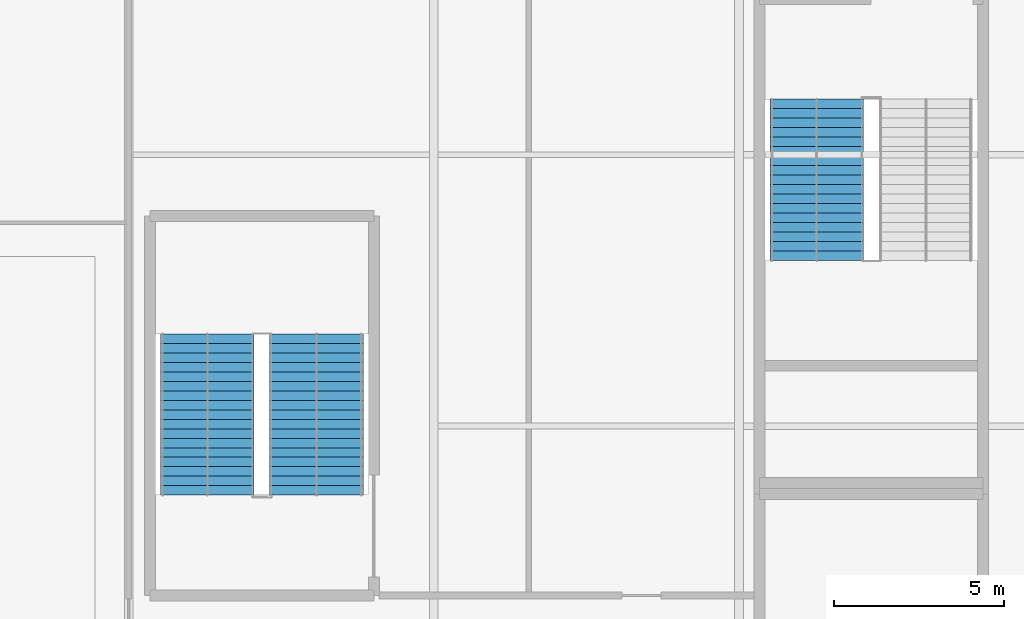
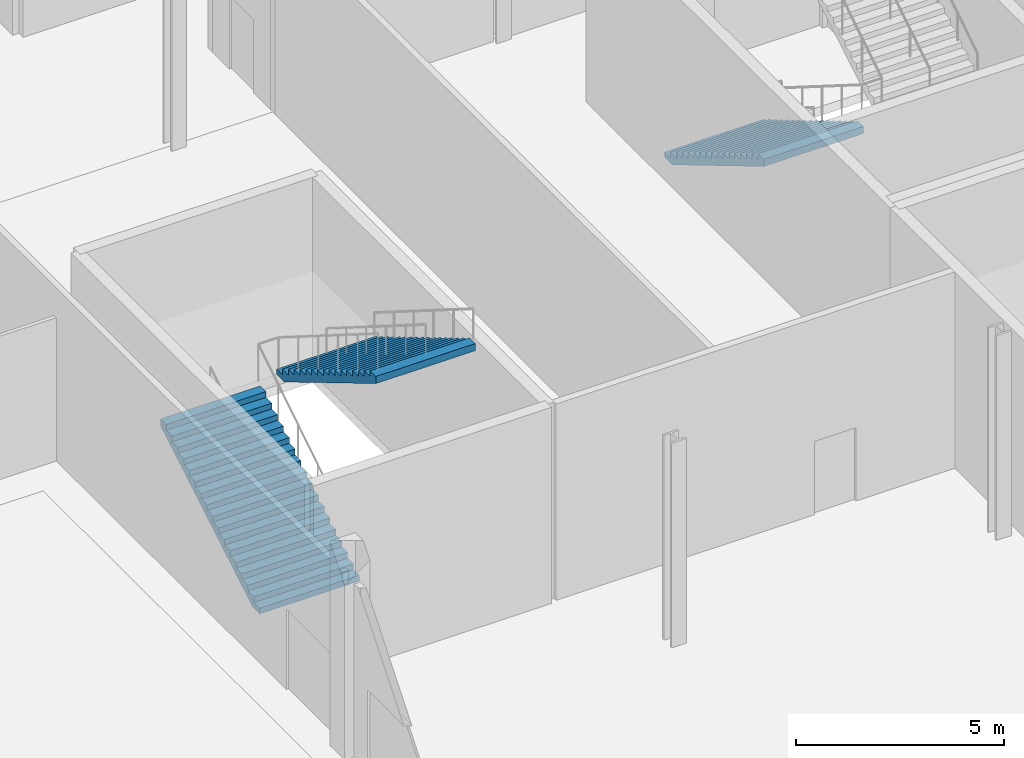
# One storey, part 65 of 84: 3 stair flights, 2 elements without a shape of their own.
"""IFC4 building model written with IfcOpenShell, lengths in metres."""

from ifc_helpers import new_model, si_unit, direction, frame, origin, place, context, subcontext, project, spatial, polygons, material, type_object, element, aggregate, save


model = new_model("IFC4")

# Units and contexts
model_context = context("Model", 3, precision=1e-05, world=origin(), true_north=direction((0.0, 1.0)))
body_context = subcontext(model_context, "Body", "Model", "MODEL_VIEW")
ifc_project = project(units=[si_unit("LENGTHUNIT", "METRE"), si_unit("AREAUNIT", "SQUARE_METRE"), si_unit("VOLUMEUNIT", "CUBIC_METRE"), si_unit("PLANEANGLEUNIT", "RADIAN"), si_unit("MASSUNIT", "GRAM", prefix="KILO")], contexts=[model_context])

# Site, building, storey
site_placement = place(None, origin())
site = spatial("IfcSite", under=ifc_project, at=site_placement, CompositionType="ELEMENT")
building_placement = place(site_placement, origin())
building = spatial("IfcBuilding", under=site, at=building_placement, Name="Kisiwana Market Hall", CompositionType="ELEMENT")
storey_placement = place(building_placement, origin())
storey = spatial("IfcBuildingStorey", under=building, at=storey_placement, Name="L00", CompositionType="ELEMENT", Elevation=0.0)

# Stair, stair flight
ifc_material_1 = material(Name="Concrete C32/40", Category="concrete")
stair_type = type_object("IfcStairType", Name="ST-ESC-6000", PredefinedType="TWO_STRAIGHT_RUN_STAIR", material=ifc_material_1)
stair_1_placement = place(storey_placement, origin())
stair_1 = element("IfcStair", 1, at=stair_1_placement, inside=storey, type_object=stair_type, Name="Escape stair ST-E8-L00", PredefinedType="TWO_STRAIGHT_RUN_STAIR")
ifc_material_2 = material(Name="Concrete C32/40", Category="concrete")
stair_flight_type = type_object("IfcStairFlightType", Name="SF-ESC-6000", PredefinedType="STRAIGHT", material=ifc_material_2)
stair_flight_1_placement = place(storey_placement, frame((173.2900390625, 77.639892578125, 0.0), z_axis=(0.0, 0.0, 1.0), x_axis=(0.0, -1.0, 0.0)))
stair_flight_1 = element("IfcStairFlight", 2, at=stair_flight_1_placement, type_object=stair_flight_type, Name="ST-E8-L00 flight 1", NumberOfRisers=18, NumberOfTreads=17, PredefinedType="STRAIGHT", RiserHeight=0.166667, TreadLength=0.28, context=body_context, shape_type="Tessellation", body=[
    polygons([(0.0, -1.380127, 0.0), (0.0, -0.690125, 0.0), (0.0, -0.000122, 0.0), (0.0, 0.68988, 0.0), (0.0, 1.379883, 0.0), (0.0, -1.380127, 0.166748), (0.0, -0.690125, 0.166748), (0.0, -0.000122, 0.166748), (0.0, 0.68988, 0.166748), (0.0, 1.379883, 0.166748), (0.280029, -1.380127, 0.166748), (0.280029, -0.690125, 0.166748), (0.280029, -0.000122, 0.166748), (0.280029, 0.68988, 0.166748), (0.280029, 1.379883, 0.166748), (0.280029, -1.380127, 0.333252), (0.280029, -0.690125, 0.333252), (0.280029, -0.000122, 0.333252), (0.280029, 0.68988, 0.333252), (0.280029, 1.379883, 0.333252), (0.560059, -1.380127, 0.333252), (0.560059, -0.690125, 0.333252), (0.560059, -0.000122, 0.333252), (0.560059, 0.68988, 0.333252), (0.560059, 1.379883, 0.333252), (0.560059, -1.380127, 0.5), (0.560059, -0.690125, 0.5), (0.560059, -0.000122, 0.5), (0.560059, 0.68988, 0.5), (0.560059, 1.379883, 0.5), (0.840088, -1.380127, 0.5), (0.840088, -0.690125, 0.5), (0.840088, -0.000122, 0.5), (0.840088, 0.68988, 0.5), (0.840088, 1.379883, 0.5), (0.840088, -1.380127, 0.666748), (0.840088, -0.690125, 0.666748), (0.840088, -0.000122, 0.666748), (0.840088, 0.68988, 0.666748), (0.840088, 1.379883, 0.666748), (1.120117, -1.380127, 0.666748), (1.120117, -0.690125, 0.666748), (1.120117, -0.000122, 0.666748), (1.120117, 0.68988, 0.666748), (1.120117, 1.379883, 0.666748), (1.120117, -1.380127, 0.833252), (1.120117, -0.690125, 0.833252), (1.120117, -0.000122, 0.833252), (1.120117, 0.68988, 0.833252), (1.120117, 1.379883, 0.833252), (1.399902, -1.380127, 0.833252), (1.399902, -0.690125, 0.833252), (1.399902, -0.000122, 0.833252), (1.399902, 0.68988, 0.833252), (1.399902, 1.379883, 0.833252), (1.399902, -1.380127, 1.0), (1.399902, -0.690125, 1.0), (1.399902, -0.000122, 1.0), (1.399902, 0.68988, 1.0), (1.399902, 1.379883, 1.0), (1.679932, -1.380127, 1.0), (1.679932, -0.690125, 1.0), (1.679932, -0.000122, 1.0), (1.679932, 0.68988, 1.0), (1.679932, 1.379883, 1.0), (1.679932, -1.380127, 1.166748), (1.679932, -0.690125, 1.166748), (1.679932, -0.000122, 1.166748), (1.679932, 0.68988, 1.166748), (1.679932, 1.379883, 1.166748), (1.959961, -1.380127, 1.166748), (1.959961, -0.690125, 1.166748), (1.959961, -0.000122, 1.166748), (1.959961, 0.68988, 1.166748), (1.959961, 1.379883, 1.166748), (1.959961, -1.380127, 1.333252), (1.959961, -0.690125, 1.333252), (1.959961, -0.000122, 1.333252), (1.959961, 0.68988, 1.333252), (1.959961, 1.379883, 1.333252), (2.23999, -1.380127, 1.333252), (2.23999, -0.690125, 1.333252), (2.23999, -0.000122, 1.333252), (2.23999, 0.68988, 1.333252), (2.23999, 1.379883, 1.333252), (2.23999, -1.380127, 1.5), (2.23999, -0.690125, 1.5), (2.23999, -0.000122, 1.5), (2.23999, 0.68988, 1.5), (2.23999, 1.379883, 1.5), (2.52002, -1.380127, 1.5), (2.52002, -0.690125, 1.5), (2.52002, -0.000122, 1.5), (2.52002, 0.68988, 1.5), (2.52002, 1.379883, 1.5), (2.52002, -1.380127, 1.666748), (2.52002, -0.690125, 1.666748), (2.52002, -0.000122, 1.666748), (2.52002, 0.68988, 1.666748), (2.52002, 1.379883, 1.666748), (2.800049, -1.380127, 1.666748), (2.800049, -0.690125, 1.666748), (2.800049, -0.000122, 1.666748), (2.800049, 0.68988, 1.666748), (2.800049, 1.379883, 1.666748), (2.800049, -1.380127, 1.833252), (2.800049, -0.690125, 1.833252), (2.800049, -0.000122, 1.833252), (2.800049, 0.68988, 1.833252), (2.800049, 1.379883, 1.833252), (3.080078, -1.380127, 1.833252), (3.080078, -0.690125, 1.833252), (3.080078, -0.000122, 1.833252), (3.080078, 0.68988, 1.833252), (3.080078, 1.379883, 1.833252), (3.080078, -1.380127, 2.0), (3.080078, -0.690125, 2.0), (3.080078, -0.000122, 2.0), (3.080078, 0.68988, 2.0), (3.080078, 1.379883, 2.0), (3.360107, -1.380127, 2.0), (3.360107, -0.690125, 2.0), (3.360107, -0.000122, 2.0), (3.360107, 0.68988, 2.0), (3.360107, 1.379883, 2.0), (3.360107, -1.380127, 2.166748), (3.360107, -0.690125, 2.166748), (3.360107, -0.000122, 2.166748), (3.360107, 0.68988, 2.166748), (3.360107, 1.379883, 2.166748), (3.639893, -1.380127, 2.166748), (3.639893, -0.690125, 2.166748), (3.639893, -0.000122, 2.166748), (3.639893, 0.68988, 2.166748), (3.639893, 1.379883, 2.166748), (3.639893, -1.380127, 2.333252), (3.639893, -0.690125, 2.333252), (3.639893, -0.000122, 2.333252), (3.639893, 0.68988, 2.333252), (3.639893, 1.379883, 2.333252), (3.919922, -1.380127, 2.333252), (3.919922, -0.690125, 2.333252), (3.919922, -0.000122, 2.333252), (3.919922, 0.68988, 2.333252), (3.919922, 1.379883, 2.333252), (3.919922, -1.380127, 2.5), (3.919922, -0.690125, 2.5), (3.919922, -0.000122, 2.5), (3.919922, 0.68988, 2.5), (3.919922, 1.379883, 2.5), (4.199951, -1.380127, 2.5), (4.199951, -0.690125, 2.5), (4.199951, -0.000122, 2.5), (4.199951, 0.68988, 2.5), (4.199951, 1.379883, 2.5), (4.199951, -1.380127, 2.666748), (4.199951, -0.690125, 2.666748), (4.199951, -0.000122, 2.666748), (4.199951, 0.68988, 2.666748), (4.199951, 1.379883, 2.666748), (4.47998, -1.380127, 2.666748), (4.47998, -0.690125, 2.666748), (4.47998, -0.000122, 2.666748), (4.47998, 0.68988, 2.666748), (4.47998, 1.379883, 2.666748), (4.47998, -1.380127, 2.833252), (4.47998, -0.690125, 2.833252), (4.47998, -0.000122, 2.833252), (4.47998, 0.68988, 2.833252), (4.47998, 1.379883, 2.833252), (4.76001, -1.380127, 2.833252), (4.76001, -0.690125, 2.833252), (4.76001, -0.000122, 2.833252), (4.76001, 0.68988, 2.833252), (4.76001, 1.379883, 2.833252), (4.76001, -1.380127, 2.624023), (4.76001, -0.690125, 2.624023), (4.76001, -0.000122, 2.624023), (4.76001, 0.68988, 2.624023), (4.76001, 1.379883, 2.624023), (0.351807, -1.380127, 0.0), (0.351807, -0.690125, 0.0), (0.351807, -0.000122, 0.0), (0.351807, 0.68988, 0.0), (0.351807, 1.379883, 0.0)], [[[1, 6, 7, 2]], [[2, 7, 8, 3]], [[3, 8, 9, 4]], [[4, 9, 10, 5]], [[6, 11, 12, 7]], [[7, 12, 13, 8]], [[8, 13, 14, 9]], [[9, 14, 15, 10]], [[11, 16, 17, 12]], [[12, 17, 18, 13]], [[13, 18, 19, 14]], [[14, 19, 20, 15]], [[16, 21, 22, 17]], [[17, 22, 23, 18]], [[18, 23, 24, 19]], [[19, 24, 25, 20]], [[21, 26, 27, 22]], [[22, 27, 28, 23]], [[23, 28, 29, 24]], [[24, 29, 30, 25]], [[26, 31, 32, 27]], [[27, 32, 33, 28]], [[28, 33, 34, 29]], [[29, 34, 35, 30]], [[31, 36, 37, 32]], [[32, 37, 38, 33]], [[33, 38, 39, 34]], [[34, 39, 40, 35]], [[36, 41, 42, 37]], [[37, 42, 43, 38]], [[38, 43, 44, 39]], [[39, 44, 45, 40]], [[41, 46, 47, 42]], [[42, 47, 48, 43]], [[43, 48, 49, 44]], [[44, 49, 50, 45]], [[46, 51, 52, 47]], [[47, 52, 53, 48]], [[48, 53, 54, 49]], [[49, 54, 55, 50]], [[51, 56, 57, 52]], [[52, 57, 58, 53]], [[53, 58, 59, 54]], [[54, 59, 60, 55]], [[56, 61, 62, 57]], [[57, 62, 63, 58]], [[58, 63, 64, 59]], [[59, 64, 65, 60]], [[61, 66, 67, 62]], [[62, 67, 68, 63]], [[63, 68, 69, 64]], [[64, 69, 70, 65]], [[66, 71, 72, 67]], [[67, 72, 73, 68]], [[68, 73, 74, 69]], [[69, 74, 75, 70]], [[71, 76, 77, 72]], [[72, 77, 78, 73]], [[73, 78, 79, 74]], [[74, 79, 80, 75]], [[76, 81, 82, 77]], [[77, 82, 83, 78]], [[78, 83, 84, 79]], [[79, 84, 85, 80]], [[81, 86, 87, 82]], [[82, 87, 88, 83]], [[83, 88, 89, 84]], [[84, 89, 90, 85]], [[86, 91, 92, 87]], [[87, 92, 93, 88]], [[88, 93, 94, 89]], [[89, 94, 95, 90]], [[91, 96, 97, 92]], [[92, 97, 98, 93]], [[93, 98, 99, 94]], [[94, 99, 100, 95]], [[96, 101, 102, 97]], [[97, 102, 103, 98]], [[98, 103, 104, 99]], [[99, 104, 105, 100]], [[101, 106, 107, 102]], [[102, 107, 108, 103]], [[103, 108, 109, 104]], [[104, 109, 110, 105]], [[106, 111, 112, 107]], [[107, 112, 113, 108]], [[108, 113, 114, 109]], [[109, 114, 115, 110]], [[111, 116, 117, 112]], [[112, 117, 118, 113]], [[113, 118, 119, 114]], [[114, 119, 120, 115]], [[116, 121, 122, 117]], [[117, 122, 123, 118]], [[118, 123, 124, 119]], [[119, 124, 125, 120]], [[121, 126, 127, 122]], [[122, 127, 128, 123]], [[123, 128, 129, 124]], [[124, 129, 130, 125]], [[126, 131, 132, 127]], [[127, 132, 133, 128]], [[128, 133, 134, 129]], [[129, 134, 135, 130]], [[131, 136, 137, 132]], [[132, 137, 138, 133]], [[133, 138, 139, 134]], [[134, 139, 140, 135]], [[136, 141, 142, 137]], [[137, 142, 143, 138]], [[138, 143, 144, 139]], [[139, 144, 145, 140]], [[141, 146, 147, 142]], [[142, 147, 148, 143]], [[143, 148, 149, 144]], [[144, 149, 150, 145]], [[146, 151, 152, 147]], [[147, 152, 153, 148]], [[148, 153, 154, 149]], [[149, 154, 155, 150]], [[151, 156, 157, 152]], [[152, 157, 158, 153]], [[153, 158, 159, 154]], [[154, 159, 160, 155]], [[156, 161, 162, 157]], [[157, 162, 163, 158]], [[158, 163, 164, 159]], [[159, 164, 165, 160]], [[161, 166, 167, 162]], [[162, 167, 168, 163]], [[163, 168, 169, 164]], [[164, 169, 170, 165]], [[166, 171, 172, 167]], [[167, 172, 173, 168]], [[168, 173, 174, 169]], [[169, 174, 175, 170]], [[171, 176, 177, 172]], [[172, 177, 178, 173]], [[173, 178, 179, 174]], [[174, 179, 180, 175]], [[176, 181, 182, 177]], [[177, 182, 183, 178]], [[178, 183, 184, 179]], [[179, 184, 185, 180]], [[181, 1, 2, 182]], [[182, 2, 3, 183]], [[183, 3, 4, 184]], [[184, 4, 5, 185]], [[181, 176, 171, 166, 161, 156, 151, 146, 141, 136, 131, 126, 121, 116, 111, 106, 101, 96, 91, 86, 81, 76, 71, 66, 61, 56, 51, 46, 41, 36, 31, 26, 21, 16, 11, 6, 1]], [[5, 10, 15, 20, 25, 30, 35, 40, 45, 50, 55, 60, 65, 70, 75, 80, 85, 90, 95, 100, 105, 110, 115, 120, 125, 130, 135, 140, 145, 150, 155, 160, 165, 170, 175, 180, 185]]], closed=True),
])
aggregate(stair_1, [stair_flight_1])

# Stair, stair flights
stair_2_placement = place(storey_placement, origin())
stair_2 = element("IfcStair", 3, at=stair_2_placement, inside=storey, type_object=stair_type, Name="Escape stair ST-E10-L00", PredefinedType="TWO_STRAIGHT_RUN_STAIR")
stair_flight_2_placement = place(storey_placement, frame((155.320068359375, 65.9599609375, 0.0), z_axis=(0.0, 0.0, 1.0), x_axis=(0.0, 1.0, 0.0)))
stair_flight_2 = element("IfcStairFlight", 4, at=stair_flight_2_placement, type_object=stair_flight_type, Name="ST-E10-L00 flight 1", NumberOfRisers=18, NumberOfTreads=17, PredefinedType="STRAIGHT", RiserHeight=0.166667, TreadLength=0.28, context=body_context, shape_type="Tessellation", body=[
    polygons([(0.0, -1.380127, 0.0), (0.0, -0.690125, 0.0), (0.0, -0.000122, 0.0), (0.0, 0.68988, 0.0), (0.0, 1.379883, 0.0), (0.0, -1.380127, 0.166748), (0.0, -0.690125, 0.166748), (0.0, -0.000122, 0.166748), (0.0, 0.68988, 0.166748), (0.0, 1.379883, 0.166748), (0.280029, -1.380127, 0.166748), (0.280029, -0.690125, 0.166748), (0.280029, -0.000122, 0.166748), (0.280029, 0.68988, 0.166748), (0.280029, 1.379883, 0.166748), (0.280029, -1.380127, 0.333252), (0.280029, -0.690125, 0.333252), (0.280029, -0.000122, 0.333252), (0.280029, 0.68988, 0.333252), (0.280029, 1.379883, 0.333252), (0.560059, -1.380127, 0.333252), (0.560059, -0.690125, 0.333252), (0.560059, -0.000122, 0.333252), (0.560059, 0.68988, 0.333252), (0.560059, 1.379883, 0.333252), (0.560059, -1.380127, 0.5), (0.560059, -0.690125, 0.5), (0.560059, -0.000122, 0.5), (0.560059, 0.68988, 0.5), (0.560059, 1.379883, 0.5), (0.840088, -1.380127, 0.5), (0.840088, -0.690125, 0.5), (0.840088, -0.000122, 0.5), (0.840088, 0.68988, 0.5), (0.840088, 1.379883, 0.5), (0.840088, -1.380127, 0.666748), (0.840088, -0.690125, 0.666748), (0.840088, -0.000122, 0.666748), (0.840088, 0.68988, 0.666748), (0.840088, 1.379883, 0.666748), (1.120117, -1.380127, 0.666748), (1.120117, -0.690125, 0.666748), (1.120117, -0.000122, 0.666748), (1.120117, 0.68988, 0.666748), (1.120117, 1.379883, 0.666748), (1.120117, -1.380127, 0.833252), (1.120117, -0.690125, 0.833252), (1.120117, -0.000122, 0.833252), (1.120117, 0.68988, 0.833252), (1.120117, 1.379883, 0.833252), (1.399902, -1.380127, 0.833252), (1.399902, -0.690125, 0.833252), (1.399902, -0.000122, 0.833252), (1.399902, 0.68988, 0.833252), (1.399902, 1.379883, 0.833252), (1.399902, -1.380127, 1.0), (1.399902, -0.690125, 1.0), (1.399902, -0.000122, 1.0), (1.399902, 0.68988, 1.0), (1.399902, 1.379883, 1.0), (1.679932, -1.380127, 1.0), (1.679932, -0.690125, 1.0), (1.679932, -0.000122, 1.0), (1.679932, 0.68988, 1.0), (1.679932, 1.379883, 1.0), (1.679932, -1.380127, 1.166748), (1.679932, -0.690125, 1.166748), (1.679932, -0.000122, 1.166748), (1.679932, 0.68988, 1.166748), (1.679932, 1.379883, 1.166748), (1.959961, -1.380127, 1.166748), (1.959961, -0.690125, 1.166748), (1.959961, -0.000122, 1.166748), (1.959961, 0.68988, 1.166748), (1.959961, 1.379883, 1.166748), (1.959961, -1.380127, 1.333252), (1.959961, -0.690125, 1.333252), (1.959961, -0.000122, 1.333252), (1.959961, 0.68988, 1.333252), (1.959961, 1.379883, 1.333252), (2.23999, -1.380127, 1.333252), (2.23999, -0.690125, 1.333252), (2.23999, -0.000122, 1.333252), (2.23999, 0.68988, 1.333252), (2.23999, 1.379883, 1.333252), (2.23999, -1.380127, 1.5), (2.23999, -0.690125, 1.5), (2.23999, -0.000122, 1.5), (2.23999, 0.68988, 1.5), (2.23999, 1.379883, 1.5), (2.52002, -1.380127, 1.5), (2.52002, -0.690125, 1.5), (2.52002, -0.000122, 1.5), (2.52002, 0.68988, 1.5), (2.52002, 1.379883, 1.5), (2.52002, -1.380127, 1.666748), (2.52002, -0.690125, 1.666748), (2.52002, -0.000122, 1.666748), (2.52002, 0.68988, 1.666748), (2.52002, 1.379883, 1.666748), (2.800049, -1.380127, 1.666748), (2.800049, -0.690125, 1.666748), (2.800049, -0.000122, 1.666748), (2.800049, 0.68988, 1.666748), (2.800049, 1.379883, 1.666748), (2.800049, -1.380127, 1.833252), (2.800049, -0.690125, 1.833252), (2.800049, -0.000122, 1.833252), (2.800049, 0.68988, 1.833252), (2.800049, 1.379883, 1.833252), (3.080078, -1.380127, 1.833252), (3.080078, -0.690125, 1.833252), (3.080078, -0.000122, 1.833252), (3.080078, 0.68988, 1.833252), (3.080078, 1.379883, 1.833252), (3.080078, -1.380127, 2.0), (3.080078, -0.690125, 2.0), (3.080078, -0.000122, 2.0), (3.080078, 0.68988, 2.0), (3.080078, 1.379883, 2.0), (3.360107, -1.380127, 2.0), (3.360107, -0.690125, 2.0), (3.360107, -0.000122, 2.0), (3.360107, 0.68988, 2.0), (3.360107, 1.379883, 2.0), (3.360107, -1.380127, 2.166748), (3.360107, -0.690125, 2.166748), (3.360107, -0.000122, 2.166748), (3.360107, 0.68988, 2.166748), (3.360107, 1.379883, 2.166748), (3.639893, -1.380127, 2.166748), (3.639893, -0.690125, 2.166748), (3.639893, -0.000122, 2.166748), (3.639893, 0.68988, 2.166748), (3.639893, 1.379883, 2.166748), (3.639893, -1.380127, 2.333252), (3.639893, -0.690125, 2.333252), (3.639893, -0.000122, 2.333252), (3.639893, 0.68988, 2.333252), (3.639893, 1.379883, 2.333252), (3.919922, -1.380127, 2.333252), (3.919922, -0.690125, 2.333252), (3.919922, -0.000122, 2.333252), (3.919922, 0.68988, 2.333252), (3.919922, 1.379883, 2.333252), (3.919922, -1.380127, 2.5), (3.919922, -0.690125, 2.5), (3.919922, -0.000122, 2.5), (3.919922, 0.68988, 2.5), (3.919922, 1.379883, 2.5), (4.199951, -1.380127, 2.5), (4.199951, -0.690125, 2.5), (4.199951, -0.000122, 2.5), (4.199951, 0.68988, 2.5), (4.199951, 1.379883, 2.5), (4.199951, -1.380127, 2.666748), (4.199951, -0.690125, 2.666748), (4.199951, -0.000122, 2.666748), (4.199951, 0.68988, 2.666748), (4.199951, 1.379883, 2.666748), (4.47998, -1.380127, 2.666748), (4.47998, -0.690125, 2.666748), (4.47998, -0.000122, 2.666748), (4.47998, 0.68988, 2.666748), (4.47998, 1.379883, 2.666748), (4.47998, -1.380127, 2.833252), (4.47998, -0.690125, 2.833252), (4.47998, -0.000122, 2.833252), (4.47998, 0.68988, 2.833252), (4.47998, 1.379883, 2.833252), (4.76001, -1.380127, 2.833252), (4.76001, -0.690125, 2.833252), (4.76001, -0.000122, 2.833252), (4.76001, 0.68988, 2.833252), (4.76001, 1.379883, 2.833252), (4.76001, -1.380127, 2.624023), (4.76001, -0.690125, 2.624023), (4.76001, -0.000122, 2.624023), (4.76001, 0.68988, 2.624023), (4.76001, 1.379883, 2.624023), (0.351807, -1.380127, 0.0), (0.351807, -0.690125, 0.0), (0.351807, -0.000122, 0.0), (0.351807, 0.68988, 0.0), (0.351807, 1.379883, 0.0)], [[[1, 6, 7, 2]], [[2, 7, 8, 3]], [[3, 8, 9, 4]], [[4, 9, 10, 5]], [[6, 11, 12, 7]], [[7, 12, 13, 8]], [[8, 13, 14, 9]], [[9, 14, 15, 10]], [[11, 16, 17, 12]], [[12, 17, 18, 13]], [[13, 18, 19, 14]], [[14, 19, 20, 15]], [[16, 21, 22, 17]], [[17, 22, 23, 18]], [[18, 23, 24, 19]], [[19, 24, 25, 20]], [[21, 26, 27, 22]], [[22, 27, 28, 23]], [[23, 28, 29, 24]], [[24, 29, 30, 25]], [[26, 31, 32, 27]], [[27, 32, 33, 28]], [[28, 33, 34, 29]], [[29, 34, 35, 30]], [[31, 36, 37, 32]], [[32, 37, 38, 33]], [[33, 38, 39, 34]], [[34, 39, 40, 35]], [[36, 41, 42, 37]], [[37, 42, 43, 38]], [[38, 43, 44, 39]], [[39, 44, 45, 40]], [[41, 46, 47, 42]], [[42, 47, 48, 43]], [[43, 48, 49, 44]], [[44, 49, 50, 45]], [[46, 51, 52, 47]], [[47, 52, 53, 48]], [[48, 53, 54, 49]], [[49, 54, 55, 50]], [[51, 56, 57, 52]], [[52, 57, 58, 53]], [[53, 58, 59, 54]], [[54, 59, 60, 55]], [[56, 61, 62, 57]], [[57, 62, 63, 58]], [[58, 63, 64, 59]], [[59, 64, 65, 60]], [[61, 66, 67, 62]], [[62, 67, 68, 63]], [[63, 68, 69, 64]], [[64, 69, 70, 65]], [[66, 71, 72, 67]], [[67, 72, 73, 68]], [[68, 73, 74, 69]], [[69, 74, 75, 70]], [[71, 76, 77, 72]], [[72, 77, 78, 73]], [[73, 78, 79, 74]], [[74, 79, 80, 75]], [[76, 81, 82, 77]], [[77, 82, 83, 78]], [[78, 83, 84, 79]], [[79, 84, 85, 80]], [[81, 86, 87, 82]], [[82, 87, 88, 83]], [[83, 88, 89, 84]], [[84, 89, 90, 85]], [[86, 91, 92, 87]], [[87, 92, 93, 88]], [[88, 93, 94, 89]], [[89, 94, 95, 90]], [[91, 96, 97, 92]], [[92, 97, 98, 93]], [[93, 98, 99, 94]], [[94, 99, 100, 95]], [[96, 101, 102, 97]], [[97, 102, 103, 98]], [[98, 103, 104, 99]], [[99, 104, 105, 100]], [[101, 106, 107, 102]], [[102, 107, 108, 103]], [[103, 108, 109, 104]], [[104, 109, 110, 105]], [[106, 111, 112, 107]], [[107, 112, 113, 108]], [[108, 113, 114, 109]], [[109, 114, 115, 110]], [[111, 116, 117, 112]], [[112, 117, 118, 113]], [[113, 118, 119, 114]], [[114, 119, 120, 115]], [[116, 121, 122, 117]], [[117, 122, 123, 118]], [[118, 123, 124, 119]], [[119, 124, 125, 120]], [[121, 126, 127, 122]], [[122, 127, 128, 123]], [[123, 128, 129, 124]], [[124, 129, 130, 125]], [[126, 131, 132, 127]], [[127, 132, 133, 128]], [[128, 133, 134, 129]], [[129, 134, 135, 130]], [[131, 136, 137, 132]], [[132, 137, 138, 133]], [[133, 138, 139, 134]], [[134, 139, 140, 135]], [[136, 141, 142, 137]], [[137, 142, 143, 138]], [[138, 143, 144, 139]], [[139, 144, 145, 140]], [[141, 146, 147, 142]], [[142, 147, 148, 143]], [[143, 148, 149, 144]], [[144, 149, 150, 145]], [[146, 151, 152, 147]], [[147, 152, 153, 148]], [[148, 153, 154, 149]], [[149, 154, 155, 150]], [[151, 156, 157, 152]], [[152, 157, 158, 153]], [[153, 158, 159, 154]], [[154, 159, 160, 155]], [[156, 161, 162, 157]], [[157, 162, 163, 158]], [[158, 163, 164, 159]], [[159, 164, 165, 160]], [[161, 166, 167, 162]], [[162, 167, 168, 163]], [[163, 168, 169, 164]], [[164, 169, 170, 165]], [[166, 171, 172, 167]], [[167, 172, 173, 168]], [[168, 173, 174, 169]], [[169, 174, 175, 170]], [[171, 176, 177, 172]], [[172, 177, 178, 173]], [[173, 178, 179, 174]], [[174, 179, 180, 175]], [[176, 181, 182, 177]], [[177, 182, 183, 178]], [[178, 183, 184, 179]], [[179, 184, 185, 180]], [[181, 1, 2, 182]], [[182, 2, 3, 183]], [[183, 3, 4, 184]], [[184, 4, 5, 185]], [[181, 176, 171, 166, 161, 156, 151, 146, 141, 136, 131, 126, 121, 116, 111, 106, 101, 96, 91, 86, 81, 76, 71, 66, 61, 56, 51, 46, 41, 36, 31, 26, 21, 16, 11, 6, 1]], [[5, 10, 15, 20, 25, 30, 35, 40, 45, 50, 55, 60, 65, 70, 75, 80, 85, 90, 95, 100, 105, 110, 115, 120, 125, 130, 135, 140, 145, 150, 155, 160, 165, 170, 175, 180, 185]]], closed=True),
])
stair_flight_3_placement = place(storey_placement, frame((158.5400390625, 70.719970703125, 3.0), z_axis=(0.0, 0.0, 1.0), x_axis=(0.0, -1.0, 0.0)))
stair_flight_3 = element("IfcStairFlight", 5, at=stair_flight_3_placement, type_object=stair_flight_type, Name="ST-E10-L00 flight 2", NumberOfRisers=18, NumberOfTreads=17, PredefinedType="STRAIGHT", RiserHeight=0.166667, TreadLength=0.28, context=body_context, shape_type="Tessellation", body=[
    polygons([(0.0, -1.380127, 0.0), (0.0, -0.690125, 0.0), (0.0, -0.000122, 0.0), (0.0, 0.68988, 0.0), (0.0, 1.379883, 0.0), (0.0, -1.380127, 0.166748), (0.0, -0.690125, 0.166748), (0.0, -0.000122, 0.166748), (0.0, 0.68988, 0.166748), (0.0, 1.379883, 0.166748), (0.280029, -1.380127, 0.166748), (0.280029, -0.690125, 0.166748), (0.280029, -0.000122, 0.166748), (0.280029, 0.68988, 0.166748), (0.280029, 1.379883, 0.166748), (0.280029, -1.380127, 0.333252), (0.280029, -0.690125, 0.333252), (0.280029, -0.000122, 0.333252), (0.280029, 0.68988, 0.333252), (0.280029, 1.379883, 0.333252), (0.560059, -1.380127, 0.333252), (0.560059, -0.690125, 0.333252), (0.560059, -0.000122, 0.333252), (0.560059, 0.68988, 0.333252), (0.560059, 1.379883, 0.333252), (0.560059, -1.380127, 0.5), (0.560059, -0.690125, 0.5), (0.560059, -0.000122, 0.5), (0.560059, 0.68988, 0.5), (0.560059, 1.379883, 0.5), (0.840088, -1.380127, 0.5), (0.840088, -0.690125, 0.5), (0.840088, -0.000122, 0.5), (0.840088, 0.68988, 0.5), (0.840088, 1.379883, 0.5), (0.840088, -1.380127, 0.666748), (0.840088, -0.690125, 0.666748), (0.840088, -0.000122, 0.666748), (0.840088, 0.68988, 0.666748), (0.840088, 1.379883, 0.666748), (1.120117, -1.380127, 0.666748), (1.120117, -0.690125, 0.666748), (1.120117, -0.000122, 0.666748), (1.120117, 0.68988, 0.666748), (1.120117, 1.379883, 0.666748), (1.120117, -1.380127, 0.833252), (1.120117, -0.690125, 0.833252), (1.120117, -0.000122, 0.833252), (1.120117, 0.68988, 0.833252), (1.120117, 1.379883, 0.833252), (1.399902, -1.380127, 0.833252), (1.399902, -0.690125, 0.833252), (1.399902, -0.000122, 0.833252), (1.399902, 0.68988, 0.833252), (1.399902, 1.379883, 0.833252), (1.399902, -1.380127, 1.0), (1.399902, -0.690125, 1.0), (1.399902, -0.000122, 1.0), (1.399902, 0.68988, 1.0), (1.399902, 1.379883, 1.0), (1.679932, -1.380127, 1.0), (1.679932, -0.690125, 1.0), (1.679932, -0.000122, 1.0), (1.679932, 0.68988, 1.0), (1.679932, 1.379883, 1.0), (1.679932, -1.380127, 1.166748), (1.679932, -0.690125, 1.166748), (1.679932, -0.000122, 1.166748), (1.679932, 0.68988, 1.166748), (1.679932, 1.379883, 1.166748), (1.959961, -1.380127, 1.166748), (1.959961, -0.690125, 1.166748), (1.959961, -0.000122, 1.166748), (1.959961, 0.68988, 1.166748), (1.959961, 1.379883, 1.166748), (1.959961, -1.380127, 1.333252), (1.959961, -0.690125, 1.333252), (1.959961, -0.000122, 1.333252), (1.959961, 0.68988, 1.333252), (1.959961, 1.379883, 1.333252), (2.23999, -1.380127, 1.333252), (2.23999, -0.690125, 1.333252), (2.23999, -0.000122, 1.333252), (2.23999, 0.68988, 1.333252), (2.23999, 1.379883, 1.333252), (2.23999, -1.380127, 1.5), (2.23999, -0.690125, 1.5), (2.23999, -0.000122, 1.5), (2.23999, 0.68988, 1.5), (2.23999, 1.379883, 1.5), (2.52002, -1.380127, 1.5), (2.52002, -0.690125, 1.5), (2.52002, -0.000122, 1.5), (2.52002, 0.68988, 1.5), (2.52002, 1.379883, 1.5), (2.52002, -1.380127, 1.666748), (2.52002, -0.690125, 1.666748), (2.52002, -0.000122, 1.666748), (2.52002, 0.68988, 1.666748), (2.52002, 1.379883, 1.666748), (2.800049, -1.380127, 1.666748), (2.800049, -0.690125, 1.666748), (2.800049, -0.000122, 1.666748), (2.800049, 0.68988, 1.666748), (2.800049, 1.379883, 1.666748), (2.800049, -1.380127, 1.833252), (2.800049, -0.690125, 1.833252), (2.800049, -0.000122, 1.833252), (2.800049, 0.68988, 1.833252), (2.800049, 1.379883, 1.833252), (3.080078, -1.380127, 1.833252), (3.080078, -0.690125, 1.833252), (3.080078, -0.000122, 1.833252), (3.080078, 0.68988, 1.833252), (3.080078, 1.379883, 1.833252), (3.080078, -1.380127, 2.0), (3.080078, -0.690125, 2.0), (3.080078, -0.000122, 2.0), (3.080078, 0.68988, 2.0), (3.080078, 1.379883, 2.0), (3.360107, -1.380127, 2.0), (3.360107, -0.690125, 2.0), (3.360107, -0.000122, 2.0), (3.360107, 0.68988, 2.0), (3.360107, 1.379883, 2.0), (3.360107, -1.380127, 2.166748), (3.360107, -0.690125, 2.166748), (3.360107, -0.000122, 2.166748), (3.360107, 0.68988, 2.166748), (3.360107, 1.379883, 2.166748), (3.639893, -1.380127, 2.166748), (3.639893, -0.690125, 2.166748), (3.639893, -0.000122, 2.166748), (3.639893, 0.68988, 2.166748), (3.639893, 1.379883, 2.166748), (3.639893, -1.380127, 2.333252), (3.639893, -0.690125, 2.333252), (3.639893, -0.000122, 2.333252), (3.639893, 0.68988, 2.333252), (3.639893, 1.379883, 2.333252), (3.919922, -1.380127, 2.333252), (3.919922, -0.690125, 2.333252), (3.919922, -0.000122, 2.333252), (3.919922, 0.68988, 2.333252), (3.919922, 1.379883, 2.333252), (3.919922, -1.380127, 2.5), (3.919922, -0.690125, 2.5), (3.919922, -0.000122, 2.5), (3.919922, 0.68988, 2.5), (3.919922, 1.379883, 2.5), (4.199951, -1.380127, 2.5), (4.199951, -0.690125, 2.5), (4.199951, -0.000122, 2.5), (4.199951, 0.68988, 2.5), (4.199951, 1.379883, 2.5), (4.199951, -1.380127, 2.666748), (4.199951, -0.690125, 2.666748), (4.199951, -0.000122, 2.666748), (4.199951, 0.68988, 2.666748), (4.199951, 1.379883, 2.666748), (4.47998, -1.380127, 2.666748), (4.47998, -0.690125, 2.666748), (4.47998, -0.000122, 2.666748), (4.47998, 0.68988, 2.666748), (4.47998, 1.379883, 2.666748), (4.47998, -1.380127, 2.833252), (4.47998, -0.690125, 2.833252), (4.47998, -0.000122, 2.833252), (4.47998, 0.68988, 2.833252), (4.47998, 1.379883, 2.833252), (4.76001, -1.380127, 2.833252), (4.76001, -0.690125, 2.833252), (4.76001, -0.000122, 2.833252), (4.76001, 0.68988, 2.833252), (4.76001, 1.379883, 2.833252), (4.76001, -1.380127, 2.624023), (4.76001, -0.690125, 2.624023), (4.76001, -0.000122, 2.624023), (4.76001, 0.68988, 2.624023), (4.76001, 1.379883, 2.624023), (0.351807, -1.380127, 0.0), (0.351807, -0.690125, 0.0), (0.351807, -0.000122, 0.0), (0.351807, 0.68988, 0.0), (0.351807, 1.379883, 0.0)], [[[1, 6, 7, 2]], [[2, 7, 8, 3]], [[3, 8, 9, 4]], [[4, 9, 10, 5]], [[6, 11, 12, 7]], [[7, 12, 13, 8]], [[8, 13, 14, 9]], [[9, 14, 15, 10]], [[11, 16, 17, 12]], [[12, 17, 18, 13]], [[13, 18, 19, 14]], [[14, 19, 20, 15]], [[16, 21, 22, 17]], [[17, 22, 23, 18]], [[18, 23, 24, 19]], [[19, 24, 25, 20]], [[21, 26, 27, 22]], [[22, 27, 28, 23]], [[23, 28, 29, 24]], [[24, 29, 30, 25]], [[26, 31, 32, 27]], [[27, 32, 33, 28]], [[28, 33, 34, 29]], [[29, 34, 35, 30]], [[31, 36, 37, 32]], [[32, 37, 38, 33]], [[33, 38, 39, 34]], [[34, 39, 40, 35]], [[36, 41, 42, 37]], [[37, 42, 43, 38]], [[38, 43, 44, 39]], [[39, 44, 45, 40]], [[41, 46, 47, 42]], [[42, 47, 48, 43]], [[43, 48, 49, 44]], [[44, 49, 50, 45]], [[46, 51, 52, 47]], [[47, 52, 53, 48]], [[48, 53, 54, 49]], [[49, 54, 55, 50]], [[51, 56, 57, 52]], [[52, 57, 58, 53]], [[53, 58, 59, 54]], [[54, 59, 60, 55]], [[56, 61, 62, 57]], [[57, 62, 63, 58]], [[58, 63, 64, 59]], [[59, 64, 65, 60]], [[61, 66, 67, 62]], [[62, 67, 68, 63]], [[63, 68, 69, 64]], [[64, 69, 70, 65]], [[66, 71, 72, 67]], [[67, 72, 73, 68]], [[68, 73, 74, 69]], [[69, 74, 75, 70]], [[71, 76, 77, 72]], [[72, 77, 78, 73]], [[73, 78, 79, 74]], [[74, 79, 80, 75]], [[76, 81, 82, 77]], [[77, 82, 83, 78]], [[78, 83, 84, 79]], [[79, 84, 85, 80]], [[81, 86, 87, 82]], [[82, 87, 88, 83]], [[83, 88, 89, 84]], [[84, 89, 90, 85]], [[86, 91, 92, 87]], [[87, 92, 93, 88]], [[88, 93, 94, 89]], [[89, 94, 95, 90]], [[91, 96, 97, 92]], [[92, 97, 98, 93]], [[93, 98, 99, 94]], [[94, 99, 100, 95]], [[96, 101, 102, 97]], [[97, 102, 103, 98]], [[98, 103, 104, 99]], [[99, 104, 105, 100]], [[101, 106, 107, 102]], [[102, 107, 108, 103]], [[103, 108, 109, 104]], [[104, 109, 110, 105]], [[106, 111, 112, 107]], [[107, 112, 113, 108]], [[108, 113, 114, 109]], [[109, 114, 115, 110]], [[111, 116, 117, 112]], [[112, 117, 118, 113]], [[113, 118, 119, 114]], [[114, 119, 120, 115]], [[116, 121, 122, 117]], [[117, 122, 123, 118]], [[118, 123, 124, 119]], [[119, 124, 125, 120]], [[121, 126, 127, 122]], [[122, 127, 128, 123]], [[123, 128, 129, 124]], [[124, 129, 130, 125]], [[126, 131, 132, 127]], [[127, 132, 133, 128]], [[128, 133, 134, 129]], [[129, 134, 135, 130]], [[131, 136, 137, 132]], [[132, 137, 138, 133]], [[133, 138, 139, 134]], [[134, 139, 140, 135]], [[136, 141, 142, 137]], [[137, 142, 143, 138]], [[138, 143, 144, 139]], [[139, 144, 145, 140]], [[141, 146, 147, 142]], [[142, 147, 148, 143]], [[143, 148, 149, 144]], [[144, 149, 150, 145]], [[146, 151, 152, 147]], [[147, 152, 153, 148]], [[148, 153, 154, 149]], [[149, 154, 155, 150]], [[151, 156, 157, 152]], [[152, 157, 158, 153]], [[153, 158, 159, 154]], [[154, 159, 160, 155]], [[156, 161, 162, 157]], [[157, 162, 163, 158]], [[158, 163, 164, 159]], [[159, 164, 165, 160]], [[161, 166, 167, 162]], [[162, 167, 168, 163]], [[163, 168, 169, 164]], [[164, 169, 170, 165]], [[166, 171, 172, 167]], [[167, 172, 173, 168]], [[168, 173, 174, 169]], [[169, 174, 175, 170]], [[171, 176, 177, 172]], [[172, 177, 178, 173]], [[173, 178, 179, 174]], [[174, 179, 180, 175]], [[176, 181, 182, 177]], [[177, 182, 183, 178]], [[178, 183, 184, 179]], [[179, 184, 185, 180]], [[181, 1, 2, 182]], [[182, 2, 3, 183]], [[183, 3, 4, 184]], [[184, 4, 5, 185]], [[181, 176, 171, 166, 161, 156, 151, 146, 141, 136, 131, 126, 121, 116, 111, 106, 101, 96, 91, 86, 81, 76, 71, 66, 61, 56, 51, 46, 41, 36, 31, 26, 21, 16, 11, 6, 1]], [[5, 10, 15, 20, 25, 30, 35, 40, 45, 50, 55, 60, 65, 70, 75, 80, 85, 90, 95, 100, 105, 110, 115, 120, 125, 130, 135, 140, 145, 150, 155, 160, 165, 170, 175, 180, 185]]], closed=True),
])
aggregate(stair_2, [stair_flight_2, stair_flight_3])

save(model, "model.ifc")
